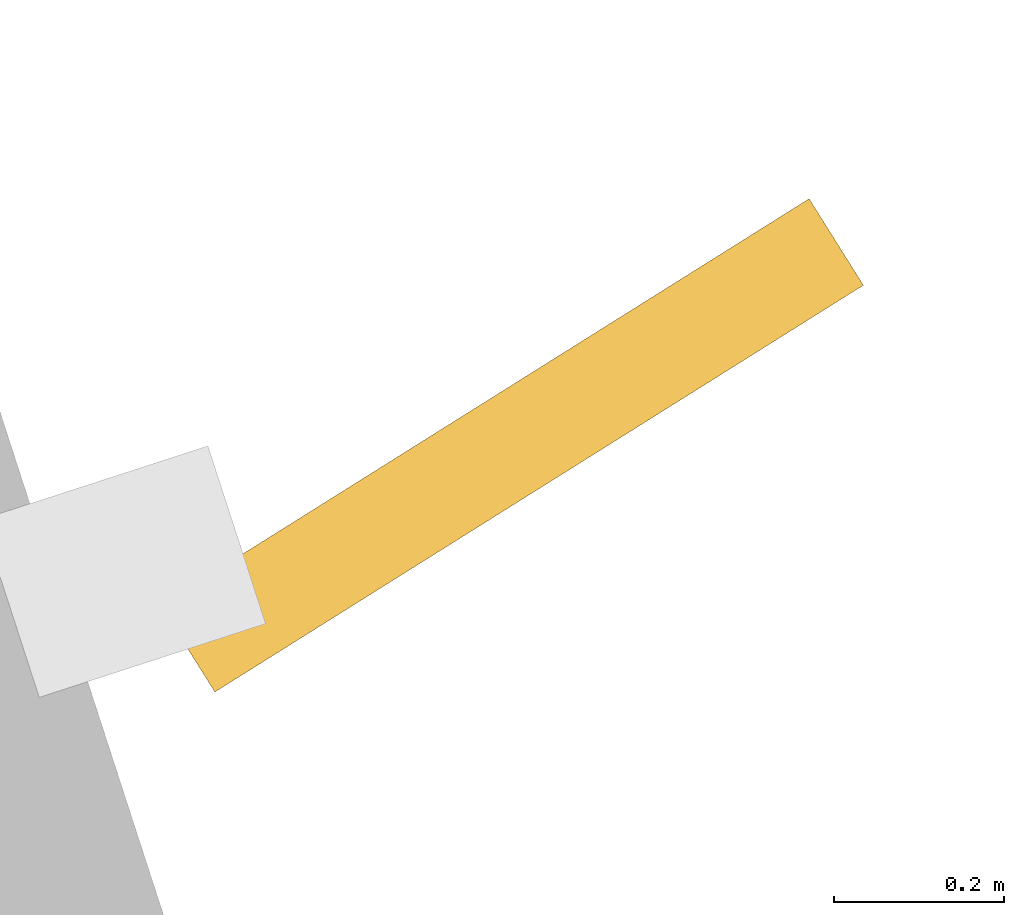
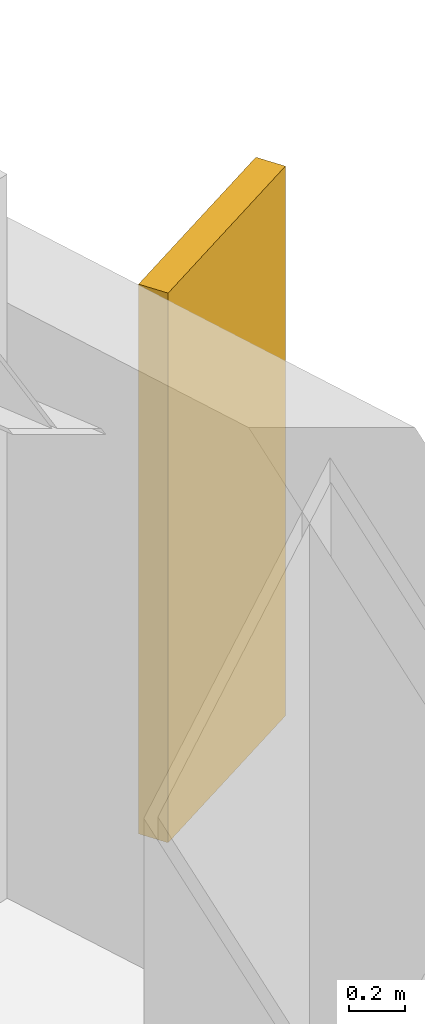
# One storey, part 18 of 18: 1 shading device.
"""IFC4 building model written with IfcOpenShell, lengths in metres."""

from ifc_helpers import new_model, si_unit, direction, frame, origin, origin_2d, place, context, subcontext, project, spatial, rectangle, extrude, material, layer, layer_set, type_object, element, save


model = new_model("IFC4")

# Units and contexts
model_context = context("Model", 3, precision=1e-05, world=origin(), true_north=direction((0.0, 1.0)))
body_context = subcontext(model_context, "Body", "Model", "MODEL_VIEW")
ifc_project = project(units=[si_unit("LENGTHUNIT", "METRE"), si_unit("AREAUNIT", "SQUARE_METRE"), si_unit("VOLUMEUNIT", "CUBIC_METRE"), si_unit("PLANEANGLEUNIT", "RADIAN"), si_unit("MASSUNIT", "GRAM", prefix="KILO")], contexts=[model_context])

# Site, building, storey
site_placement = place(None, origin())
site = spatial("IfcSite", under=ifc_project, at=site_placement, CompositionType="ELEMENT")
building_placement = place(site_placement, origin())
building = spatial("IfcBuilding", under=site, at=building_placement, Name="Qiaolan Cultural Towers", CompositionType="ELEMENT")
storey_placement = place(building_placement, frame((0.0, 0.0, 67.85009765625)))
storey = spatial("IfcBuildingStorey", under=building, at=storey_placement, Name="L16", CompositionType="ELEMENT", Elevation=67.85009765625)

# Shading device
ifc_material = material(Name="Dark Basalt Honed Precast Terracotta Fin", Category="masonry")
ifc_layer = layer(ifc_material, 0.1201171875)
ifc_layer_set = layer_set([ifc_layer], Name="Dark Basalt Honed Precast Terracotta Fin")
shading_device_type = type_object("IfcShadingDeviceType", Name="SHD-FIN-DARK", PredefinedType="USERDEFINED", material=ifc_layer_set)
shading_device_placement = place(storey_placement, frame((105.45556640625, 50.377685546875, 0.10009765625), z_axis=(0.0, 0.0, 1.0), x_axis=(0.847164684072, 0.531330403855, 0.0)))
element("IfcShadingDevice", 1, at=shading_device_placement, inside=storey, type_object=shading_device_type, Name="L16 T2 Expressive Precast Vertical Fin E3", ObjectType="FIN", PredefinedType="USERDEFINED", context=body_context, shape_type="SweptSolid", body=[
    extrude(rectangle(XDim=0.89990234375, YDim=0.1201171875, at=origin_2d()), origin(), (0.0, 0.0, 1.0), 2.409912109375),
])

save(model, "model.ifc")
